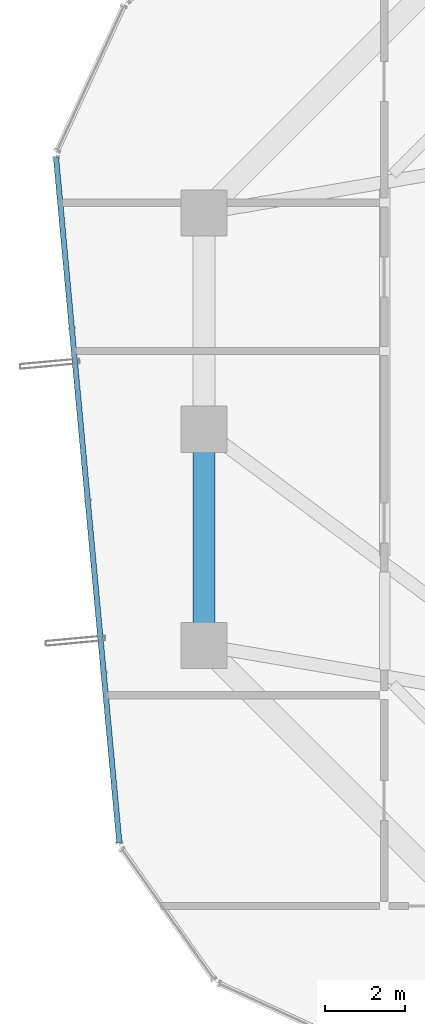
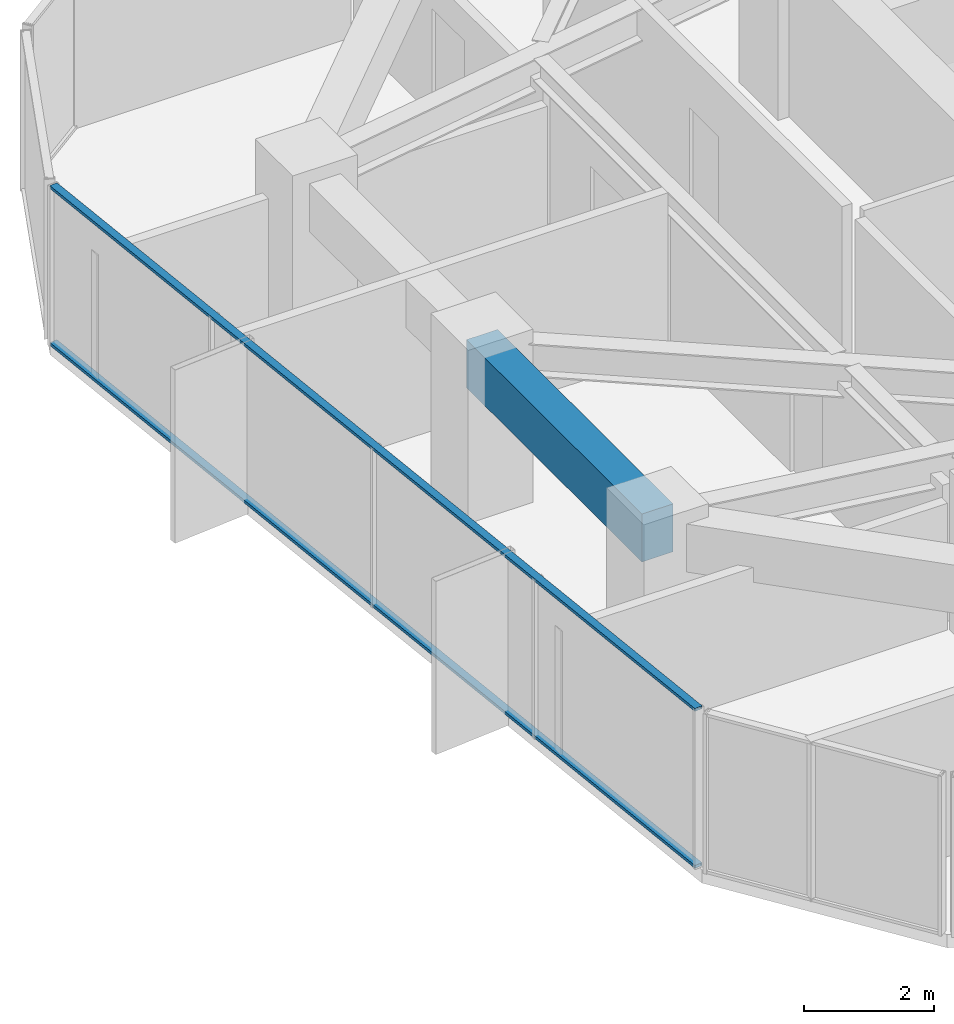
# One storey, part 10 of 33: 2 members, 1 beam, 1 element without a shape of its own.
"""IFC4 building model written with IfcOpenShell, lengths in metres."""

from ifc_helpers import new_model, si_unit, direction, frame, origin, origin_2d, place, context, subcontext, project, spatial, rectangle, hollow_rectangle, extrude, source, transform, mapped, material, layer, layer_set, material_profile, profile_set, type_object, element, aggregate, save


model = new_model("IFC4")

# Units and contexts
model_context = context("Model", 3, precision=1e-05, world=origin(), true_north=direction((0.0, 1.0)))
body_context = subcontext(model_context, "Body", "Model", "MODEL_VIEW")
ifc_project = project(units=[si_unit("LENGTHUNIT", "METRE"), si_unit("AREAUNIT", "SQUARE_METRE"), si_unit("VOLUMEUNIT", "CUBIC_METRE"), si_unit("PLANEANGLEUNIT", "RADIAN"), si_unit("MASSUNIT", "GRAM", prefix="KILO")], contexts=[model_context])

# Site, building, storey
site_placement = place(None, origin())
site = spatial("IfcSite", under=ifc_project, at=site_placement, CompositionType="ELEMENT")
building_placement = place(site_placement, origin())
building = spatial("IfcBuilding", under=site, at=building_placement, Name="Veraguas Prism Commons", CompositionType="ELEMENT")
storey_placement = place(building_placement, frame((0.0, 0.0, 145.75)))
storey = spatial("IfcBuildingStorey", under=building, at=storey_placement, Name="L41", CompositionType="ELEMENT", Elevation=145.75)

# Beam
ifc_material_1 = material(Name="Concrete C50/60", Category="concrete")
ifc_material_profile_1 = material_profile(ifc_material_1, rectangle(XDim=0.550048828125, YDim=0.89990234375, at=origin_2d()), Name="RC550X900")
ifc_profile_set_1 = profile_set([ifc_material_profile_1], Name="Concrete C50/60")
beam_type = type_object("IfcBeamType", Name="Perimeter Spandrel Lower RC 550x900", PredefinedType="SPANDREL", material=ifc_profile_set_1)
beam_placement = place(storey_placement, frame((7.800048828125, 24.0, 2.550048828125), z_axis=(0.0, -1.0, 0.0), x_axis=(1.0, 0.0, 0.0)))
element("IfcBeam", 1, at=beam_placement, inside=storey, type_object=beam_type, Name="Perimeter Spandrel Beam L41-SP08", PredefinedType="SPANDREL", context=body_context, shape_type="SweptSolid", body=[
    extrude(rectangle(XDim=0.550048828125, YDim=0.89990234375, at=origin_2d()), origin(), (0.0, 0.0, 1.0), 5.39990234375),
])

# Curtain wall, members
ifc_material_2 = material(Name="Anodised aluminium EN AW-6063 T6", Category="aluminium")
ifc_layer = layer(ifc_material_2, 0.169921875, Name="Unitised Flush Curtain Wall Zone 2", Category="aluminium")
ifc_layer_set = layer_set([ifc_layer], Name="Anodised aluminium EN AW-6063 T6")
curtain_wall_type = type_object("IfcCurtainWallType", Name="Unitised Flush Curtain Wall Zone 2", PredefinedType="NOTDEFINED", material=ifc_layer_set)
curtain_wall_placement = place(storey_placement, origin())
curtain_wall = element("IfcCurtainWall", 2, at=curtain_wall_placement, inside=storey, type_object=curtain_wall_type, Name="Tower Facade Curtain Wall L41-F3", PredefinedType="NOTDEFINED")
ifc_material_profile_2 = material_profile(ifc_material_2, hollow_rectangle(XDim=0.054931640625, YDim=0.135009765625, WallThickness=0.0029296875, at=origin_2d()), Name="AL55X135X3")
ifc_profile_set_2 = profile_set([ifc_material_profile_2], Name="Anodised aluminium EN AW-6063 T6")
member_type = type_object("IfcMemberType", Name="Curtain Wall Transom Standard AL 55x135x3", PredefinedType="USERDEFINED", material=ifc_profile_set_2)
shared_shape = source(origin(), body_context, "Body", "SweptSolid", [
    extrude(hollow_rectangle(XDim=0.054931640625, YDim=0.135009765625, WallThickness=0.0029296875, at=origin_2d()), origin(), (0.0, 0.0, 1.0), 17.174560546875),
])
member_1_placement = place(storey_placement, frame((4.108642578125, 30.78564453125, 0.027587890625), z_axis=(0.092030119241, -0.995756223758, 0.0), x_axis=(0.0, 0.0, 1.0)))
member_1 = element("IfcMember", 3, at=member_1_placement, type_object=member_type, Name="CW-Z2 Transom 1", ObjectType="TRANSOM", PredefinedType="USERDEFINED", context=body_context, shape_type="MappedRepresentation", body=[
    mapped(shared_shape, transform((0.0, 0.0, 0.0), scale=1.0)),
])
member_2_placement = place(storey_placement, frame((4.108642578125, 30.78564453125, 2.972412109375), z_axis=(0.092030119241, -0.995756223758, 0.0), x_axis=(0.0, 0.0, 1.0)))
member_2 = element("IfcMember", 4, at=member_2_placement, type_object=member_type, Name="CW-Z2 Transom 2", ObjectType="TRANSOM", PredefinedType="USERDEFINED", context=body_context, shape_type="MappedRepresentation", body=[
    mapped(shared_shape, transform((0.0, 0.0, 0.0), scale=1.0)),
])
aggregate(curtain_wall, [member_1, member_2])

save(model, "model.ifc")
